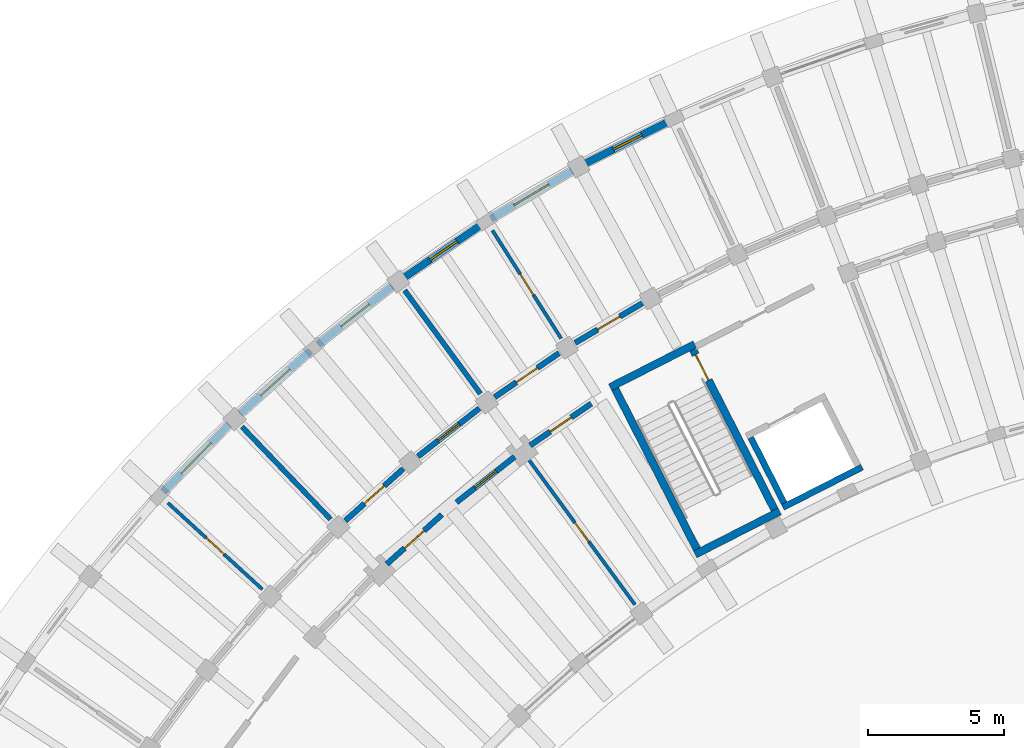
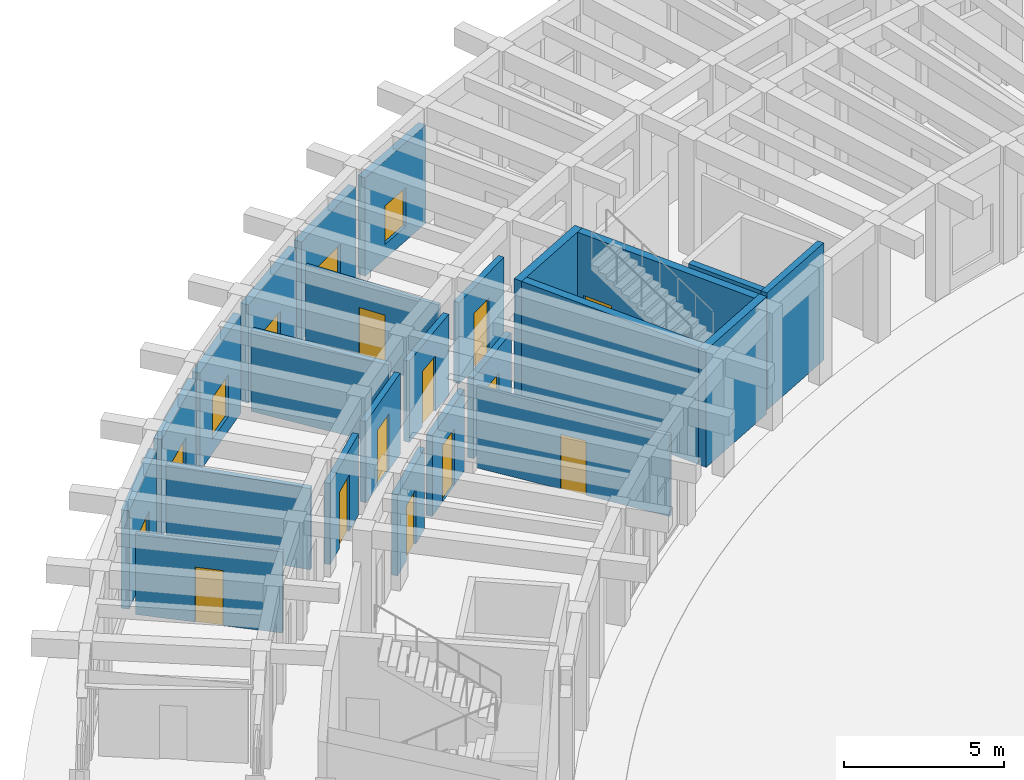
# One storey, part 95 of 132: 24 walls, 11 doors, 6 windows, 17 openings.
"""IFC4 building model written with IfcOpenShell, lengths in metres."""

from ifc_helpers import new_model, si_unit, direction, frame, frame_2d, origin, place, context, subcontext, project, spatial, rectangle, extrude, material, layer, layer_set, type_object, element, fill, save


model = new_model("IFC4")

# Units and contexts
model_context = context("Model", 3, precision=1e-05, world=origin(), true_north=direction((0.0, 1.0)))
body_context = subcontext(model_context, "Body", "Model", "MODEL_VIEW")
ifc_project = project(units=[si_unit("LENGTHUNIT", "METRE"), si_unit("AREAUNIT", "SQUARE_METRE"), si_unit("VOLUMEUNIT", "CUBIC_METRE"), si_unit("PLANEANGLEUNIT", "RADIAN"), si_unit("MASSUNIT", "GRAM", prefix="KILO")], contexts=[model_context])

# Site, building, storey
site_placement = place(None, origin())
site = spatial("IfcSite", under=ifc_project, at=site_placement, CompositionType="ELEMENT")
building_placement = place(site_placement, origin())
building = spatial("IfcBuilding", under=site, at=building_placement, Name="Tanwirah Colonnade Gardens", CompositionType="ELEMENT")
storey_placement = place(building_placement, origin())
storey = spatial("IfcBuildingStorey", under=building, at=storey_placement, Name="L00", CompositionType="ELEMENT", Elevation=0.0)

# Wall, opening, window
ifc_material_1 = material(Name="Limestone architectural precast concrete C40/50", Category="masonry")
ifc_layer_1 = layer(ifc_material_1, 0.27001953125)
ifc_layer_set_1 = layer_set([ifc_layer_1], Name="Limestone architectural precast concrete C40/50")
wall_type_1 = type_object("IfcWallType", Name="EW-PC270", PredefinedType="SOLIDWALL", material=ifc_layer_set_1)
wall_1_placement = place(storey_placement, frame((39.777099609375, 114.13818359375, 0.0), z_axis=(0.0, 0.0, 1.0), x_axis=(-0.892772658884, -0.450507468915, 0.0)))
wall_1 = element("IfcWall", 1, at=wall_1_placement, inside=storey, type_object=wall_type_1, Name="Block A L00 OUT Precast Facade Wall 5", PredefinedType="SOLIDWALL", context=body_context, shape_type="SweptSolid", body=[
    extrude(rectangle(XDim=3.465576171875, YDim=0.27001953125, at=frame_2d((1.73291015625, 0.0))), origin(), (0.0, 0.0, 1.0), 3.7548828125),
])
opening_1_placement = place(wall_1_placement, frame((1.142822265625, 0.0, 0.550048828125)))
opening_1 = element("IfcOpeningElement", 2, at=opening_1_placement, cuts=wall_1, Name="Opening WIN-T16", PredefinedType="OPENING", context=body_context, shape_type="SweptSolid", body=[
    extrude(rectangle(XDim=1.179931640625, YDim=1.47998046875, at=frame_2d((0.58984375, 0.739990234375))), frame((0.0, 0.14501953125, 0.0), z_axis=(0.0, -1.0, 0.0), x_axis=(1.0, 0.0, 0.0)), (0.0, 0.0, 1.0), 0.2900390625),
])
ifc_material_2 = material(Name="Thermally broken bronze aluminium and solar low-E double glazing", Category="aluminium")
window_type_1 = type_object("IfcWindowType", Name="WIN-T16", PartitioningType="SINGLE_PANEL", PredefinedType="WINDOW", material=ifc_material_2)
window_1_placement = place(opening_1_placement, origin())
window_1 = element("IfcWindow", 3, at=window_1_placement, inside=storey, type_object=window_type_1, Name="Facade window A-L00-OUT-05", OverallHeight=1.47998046875, OverallWidth=1.179931640625, PartitioningType="SINGLE_PANEL", PredefinedType="WINDOW", context=body_context, shape_type="SweptSolid", body=[
    extrude(rectangle(XDim=1.179931640625, YDim=1.47998046875, at=frame_2d((0.58984375, 0.739990234375))), frame((0.0, 0.030029296875, 0.0), z_axis=(0.0, -1.0, 0.0), x_axis=(1.0, 0.0, 0.0)), (0.0, 0.0, 1.0), 0.06005859375),
])
fill(opening_1, window_1)

wall_2_placement = place(storey_placement, frame((36.19189453125, 112.308349609375, 0.0), z_axis=(0.0, 0.0, 1.0), x_axis=(-0.861120000949, -0.508401754487, 0.0)))
wall_2 = element("IfcWall", 4, at=wall_2_placement, inside=storey, type_object=wall_type_1, Name="Block A L00 OUT Precast Facade Wall 6", PredefinedType="SOLIDWALL", context=body_context, shape_type="SweptSolid", body=[
    extrude(rectangle(XDim=3.465576171875, YDim=0.27001953125, at=frame_2d((1.73291015625, 0.0))), origin(), (0.0, 0.0, 1.0), 3.7548828125),
])
opening_2_placement = place(wall_2_placement, frame((0.992919921875, 0.0, 0.550048828125)))
opening_2 = element("IfcOpeningElement", 5, at=opening_2_placement, cuts=wall_2, Name="Opening WIN-T19", PredefinedType="OPENING", context=body_context, shape_type="SweptSolid", body=[
    extrude(rectangle(XDim=1.47998046875, YDim=1.6201171875, at=frame_2d((0.739990234375, 0.81005859375))), frame((0.0, 0.14501953125, 0.0), z_axis=(0.0, -1.0, 0.0), x_axis=(1.0, 0.0, 0.0)), (0.0, 0.0, 1.0), 0.2900390625),
])
window_type_2 = type_object("IfcWindowType", Name="WIN-T19", PartitioningType="DOUBLE_PANEL_VERTICAL", PredefinedType="WINDOW", material=ifc_material_2)
window_2_placement = place(opening_2_placement, origin())
window_2 = element("IfcWindow", 6, at=window_2_placement, inside=storey, type_object=window_type_2, Name="Facade window A-L00-OUT-06", OverallHeight=1.6201171875, OverallWidth=1.47998046875, PartitioningType="SINGLE_PANEL", PredefinedType="WINDOW", context=body_context, shape_type="SweptSolid", body=[
    extrude(rectangle(XDim=1.47998046875, YDim=1.6201171875, at=frame_2d((0.739990234375, 0.81005859375))), frame((0.0, 0.030029296875, 0.0), z_axis=(0.0, -1.0, 0.0), x_axis=(1.0, 0.0, 0.0)), (0.0, 0.0, 1.0), 0.06005859375),
])
fill(opening_2, window_2)

wall_3_placement = place(storey_placement, frame((32.90380859375, 110.353515625, 0.0), z_axis=(0.0, 0.0, 1.0), x_axis=(-0.825744165268, -0.564044832904, 0.0)))
wall_3 = element("IfcWall", 7, at=wall_3_placement, inside=storey, type_object=wall_type_1, Name="Block A L00 OUT Precast Facade Wall 7", PredefinedType="SOLIDWALL", context=body_context, shape_type="SweptSolid", body=[
    extrude(rectangle(XDim=3.4658203125, YDim=0.27001953125, at=frame_2d((1.73291015625, 0.0))), origin(), (0.0, 0.0, 1.0), 3.7548828125),
])
opening_3_placement = place(wall_3_placement, frame((1.1328125, 0.0, 0.550048828125)))
opening_3 = element("IfcOpeningElement", 8, at=opening_3_placement, cuts=wall_3, Name="Opening WIN-U02", PredefinedType="OPENING", context=body_context, shape_type="SweptSolid", body=[
    extrude(rectangle(XDim=1.199951171875, YDim=1.510009765625, at=frame_2d((0.60009765625, 0.7548828125))), frame((0.0, 0.14501953125, 0.0), z_axis=(0.0, -1.0, 0.0), x_axis=(1.0, 0.0, 0.0)), (0.0, 0.0, 1.0), 0.2900390625),
])
window_type_3 = type_object("IfcWindowType", Name="WIN-U02", PartitioningType="DOUBLE_PANEL_VERTICAL", PredefinedType="WINDOW", material=ifc_material_2)
window_3_placement = place(opening_3_placement, origin())
window_3 = element("IfcWindow", 9, at=window_3_placement, inside=storey, type_object=window_type_3, Name="Facade window A-L00-OUT-07", OverallHeight=1.510009765625, OverallWidth=1.199951171875, PartitioningType="SINGLE_PANEL", PredefinedType="WINDOW", context=body_context, shape_type="SweptSolid", body=[
    extrude(rectangle(XDim=1.199951171875, YDim=1.510009765625, at=frame_2d((0.60009765625, 0.7548828125))), frame((0.0, 0.030029296875, 0.0), z_axis=(0.0, -1.0, 0.0), x_axis=(1.0, 0.0, 0.0)), (0.0, 0.0, 1.0), 0.06005859375),
])
fill(opening_3, window_3)

wall_4_placement = place(storey_placement, frame((29.590576171875, 108.068115234375, 0.0), z_axis=(0.0, 0.0, 1.0), x_axis=(-0.786811832484, -0.617192952214, 0.0)))
wall_4 = element("IfcWall", 10, at=wall_4_placement, inside=storey, type_object=wall_type_1, Name="Block A L00 OUT Precast Facade Wall 8", PredefinedType="SOLIDWALL", context=body_context, shape_type="SweptSolid", body=[
    extrude(rectangle(XDim=3.466064453125, YDim=0.27001953125, at=frame_2d((1.73291015625, 0.0))), origin(), (0.0, 0.0, 1.0), 3.7548828125),
])
opening_4_placement = place(wall_4_placement, frame((1.072998046875, 0.0, 0.550048828125)))
opening_4 = element("IfcOpeningElement", 11, at=opening_4_placement, cuts=wall_4, Name="Opening WIN-U05", PredefinedType="OPENING", context=body_context, shape_type="SweptSolid", body=[
    extrude(rectangle(XDim=1.320068359375, YDim=1.5849609375, at=frame_2d((0.66015625, 0.79248046875))), frame((0.0, 0.14501953125, 0.0), z_axis=(0.0, -1.0, 0.0), x_axis=(1.0, 0.0, 0.0)), (0.0, 0.0, 1.0), 0.2900390625),
])
window_type_4 = type_object("IfcWindowType", Name="WIN-U05", PartitioningType="DOUBLE_PANEL_VERTICAL", PredefinedType="WINDOW", material=ifc_material_2)
window_4_placement = place(opening_4_placement, origin())
window_4 = element("IfcWindow", 12, at=window_4_placement, inside=storey, type_object=window_type_4, Name="Facade window A-L00-OUT-08", OverallHeight=1.5849609375, OverallWidth=1.320068359375, PartitioningType="SINGLE_PANEL", PredefinedType="WINDOW", context=body_context, shape_type="SweptSolid", body=[
    extrude(rectangle(XDim=1.320068359375, YDim=1.5849609375, at=frame_2d((0.66015625, 0.79248046875))), frame((0.0, 0.030029296875, 0.0), z_axis=(0.0, -1.0, 0.0), x_axis=(1.0, 0.0, 0.0)), (0.0, 0.0, 1.0), 0.06005859375),
])
fill(opening_4, window_4)

wall_5_placement = place(storey_placement, frame((26.587890625, 105.69775390625, 0.0), z_axis=(0.0, 0.0, 1.0), x_axis=(-0.744424533251, -0.667706607945, 0.0)))
wall_5 = element("IfcWall", 13, at=wall_5_placement, inside=storey, type_object=wall_type_1, Name="Block A L00 OUT Precast Facade Wall 9", PredefinedType="SOLIDWALL", context=body_context, shape_type="SweptSolid", body=[
    extrude(rectangle(XDim=3.465576171875, YDim=0.27001953125, at=frame_2d((1.73291015625, 0.0))), origin(), (0.0, 0.0, 1.0), 3.7548828125),
])
opening_5_placement = place(wall_5_placement, frame((1.0126953125, 0.0, 0.550048828125)))
opening_5 = element("IfcOpeningElement", 14, at=opening_5_placement, cuts=wall_5, Name="Opening WIN-U08", PredefinedType="OPENING", context=body_context, shape_type="SweptSolid", body=[
    extrude(rectangle(XDim=1.43994140625, YDim=1.659912109375, at=frame_2d((0.719970703125, 0.830078125))), frame((0.0, 0.14501953125, 0.0), z_axis=(0.0, -1.0, 0.0), x_axis=(1.0, 0.0, 0.0)), (0.0, 0.0, 1.0), 0.2900390625),
])
window_type_5 = type_object("IfcWindowType", Name="WIN-U08", PartitioningType="DOUBLE_PANEL_VERTICAL", PredefinedType="WINDOW", material=ifc_material_2)
window_5_placement = place(opening_5_placement, origin())
window_5 = element("IfcWindow", 15, at=window_5_placement, inside=storey, type_object=window_type_5, Name="Facade window A-L00-OUT-09", OverallHeight=1.659912109375, OverallWidth=1.43994140625, PartitioningType="SINGLE_PANEL", PredefinedType="WINDOW", context=body_context, shape_type="SweptSolid", body=[
    extrude(rectangle(XDim=1.43994140625, YDim=1.659912109375, at=frame_2d((0.719970703125, 0.830078125))), frame((0.0, 0.030029296875, 0.0), z_axis=(0.0, -1.0, 0.0), x_axis=(1.0, 0.0, 0.0)), (0.0, 0.0, 1.0), 0.06005859375),
])
fill(opening_5, window_5)

wall_6_placement = place(storey_placement, frame((23.603759765625, 102.99658203125, 0.0), z_axis=(0.0, 0.0, 1.0), x_axis=(-0.698816652755, -0.715300835895, 0.0)))
wall_6 = element("IfcWall", 16, at=wall_6_placement, inside=storey, type_object=wall_type_1, Name="Block A L00 OUT Precast Facade Wall 10", PredefinedType="SOLIDWALL", context=body_context, shape_type="SweptSolid", body=[
    extrude(rectangle(XDim=3.465576171875, YDim=0.27001953125, at=frame_2d((1.73291015625, 0.0))), origin(), (0.0, 0.0, 1.0), 3.7548828125),
])
opening_6_placement = place(wall_6_placement, frame((0.952880859375, 0.0, 0.550048828125)))
opening_6 = element("IfcOpeningElement", 17, at=opening_6_placement, cuts=wall_6, Name="Opening WIN-U11", PredefinedType="OPENING", context=body_context, shape_type="SweptSolid", body=[
    extrude(rectangle(XDim=1.56005859375, YDim=1.510009765625, at=frame_2d((0.780029296875, 0.7548828125))), frame((0.0, 0.14501953125, 0.0), z_axis=(0.0, -1.0, 0.0), x_axis=(1.0, 0.0, 0.0)), (0.0, 0.0, 1.0), 0.2900390625),
])
window_type_6 = type_object("IfcWindowType", Name="WIN-U11", PartitioningType="DOUBLE_PANEL_VERTICAL", PredefinedType="WINDOW", material=ifc_material_2)
window_6_placement = place(opening_6_placement, origin())
window_6 = element("IfcWindow", 18, at=window_6_placement, inside=storey, type_object=window_type_6, Name="Facade window A-L00-OUT-10", OverallHeight=1.510009765625, OverallWidth=1.56005859375, PartitioningType="SINGLE_PANEL", PredefinedType="WINDOW", context=body_context, shape_type="SweptSolid", body=[
    extrude(rectangle(XDim=1.56005859375, YDim=1.510009765625, at=frame_2d((0.780029296875, 0.7548828125))), frame((0.0, 0.030029296875, 0.0), z_axis=(0.0, -1.0, 0.0), x_axis=(1.0, 0.0, 0.0)), (0.0, 0.0, 1.0), 0.06005859375),
])
fill(opening_6, window_6)

# Wall, opening, door
ifc_material_3 = material(Name="Precast concrete C40/50", Category="concrete")
ifc_layer_2 = layer(ifc_material_3, 0.205078125)
ifc_layer_set_2 = layer_set([ifc_layer_2], Name="Precast concrete C40/50")
wall_type_2 = type_object("IfcWallType", Name="IW-CORR205", PredefinedType="PARTITIONING", material=ifc_layer_set_2)
wall_7_placement = place(storey_placement, frame((38.77001953125, 107.447021484375, 0.0), z_axis=(0.0, 0.0, 1.0), x_axis=(-0.861113214678, -0.508413248753, 0.0)))
wall_7 = element("IfcWall", 19, at=wall_7_placement, inside=storey, type_object=wall_type_2, Name="Block A L00 OUT Corridor Wall 6", PredefinedType="PARTITIONING", context=body_context, shape_type="SweptSolid", body=[
    extrude(rectangle(XDim=2.863037109375, YDim=0.205078125, at=frame_2d((1.431640625, 0.0))), origin(), (0.0, 0.0, 1.0), 3.10009765625),
])
opening_7_placement = place(wall_7_placement, frame((0.95654296875, 0.0, 0.0)))
opening_7 = element("IfcOpeningElement", 20, at=opening_7_placement, cuts=wall_7, Name="Opening L00-AD235", PredefinedType="OPENING", context=body_context, shape_type="SweptSolid", body=[
    extrude(rectangle(XDim=0.949951171875, YDim=2.1298828125, at=frame_2d((0.47509765625, 1.06494140625))), frame((0.0, 0.112548828125, 0.0), z_axis=(0.0, -1.0, 0.0), x_axis=(1.0, 0.0, 0.0)), (0.0, 0.0, 1.0), 0.22509765625),
])
ifc_material_4 = material(Name="Solid oak fire-resisting apartment entrance door")
door_type_1 = type_object("IfcDoorType", Name="ID-FLT095", OperationType="NOTDEFINED", PredefinedType="DOOR", material=ifc_material_4)
door_1_placement = place(opening_7_placement, origin())
door_1 = element("IfcDoor", 21, at=door_1_placement, inside=storey, type_object=door_type_1, Name="Apartment corridor door L00-AD235", OperationType="SINGLE_SWING_LEFT", OverallHeight=2.1298828125, OverallWidth=0.949951171875, PredefinedType="DOOR", context=body_context, shape_type="SweptSolid", body=[
    extrude(rectangle(XDim=0.949951171875, YDim=2.1298828125, at=frame_2d((0.47509765625, 1.06494140625))), frame((0.0, 0.02490234375, 0.0), z_axis=(0.0, -1.0, 0.0), x_axis=(1.0, 0.0, 0.0)), (0.0, 0.0, 1.0), 0.050048828125),
])
fill(opening_7, door_1)

wall_8_placement = place(storey_placement, frame((35.714111328125, 105.615966796875, 0.0), z_axis=(0.0, 0.0, 1.0), x_axis=(-0.825779671787, -0.563992848947, 0.0)))
wall_8 = element("IfcWall", 22, at=wall_8_placement, inside=storey, type_object=wall_type_2, Name="Block A L00 OUT Corridor Wall 7", PredefinedType="PARTITIONING", context=body_context, shape_type="SweptSolid", body=[
    extrude(rectangle(XDim=2.863037109375, YDim=0.205078125, at=frame_2d((1.431640625, 0.0))), origin(), (0.0, 0.0, 1.0), 3.10009765625),
])
opening_8_placement = place(wall_8_placement, frame((0.966552734375, 0.0, 0.0)))
opening_8 = element("IfcOpeningElement", 23, at=opening_8_placement, cuts=wall_8, Name="Opening L00-AD237", PredefinedType="OPENING", context=body_context, shape_type="SweptSolid", body=[
    extrude(rectangle(XDim=0.929931640625, YDim=2.1201171875, at=frame_2d((0.46484375, 1.06005859375))), frame((0.0, 0.112548828125, 0.0), z_axis=(0.0, -1.0, 0.0), x_axis=(1.0, 0.0, 0.0)), (0.0, 0.0, 1.0), 0.22509765625),
])
door_type_2 = type_object("IfcDoorType", Name="ID-FLT093", OperationType="NOTDEFINED", PredefinedType="DOOR", material=ifc_material_4)
door_2_placement = place(opening_8_placement, origin())
door_2 = element("IfcDoor", 24, at=door_2_placement, inside=storey, type_object=door_type_2, Name="Apartment corridor door L00-AD237", OperationType="SINGLE_SWING_RIGHT", OverallHeight=2.1201171875, OverallWidth=0.929931640625, PredefinedType="DOOR", context=body_context, shape_type="SweptSolid", body=[
    extrude(rectangle(XDim=0.929931640625, YDim=2.1201171875, at=frame_2d((0.46484375, 1.06005859375))), frame((0.0, 0.02490234375, 0.0), z_axis=(0.0, -1.0, 0.0), x_axis=(1.0, 0.0, 0.0)), (0.0, 0.0, 1.0), 0.050048828125),
])
fill(opening_8, door_2)

wall_9_placement = place(storey_placement, frame((36.89453125, 103.759521484375, 0.0), z_axis=(0.0, 0.0, 1.0), x_axis=(-0.825752009056, -0.56403334967, 0.0)))
wall_9 = element("IfcWall", 25, at=wall_9_placement, inside=storey, type_object=wall_type_2, Name="Block A L00 IN Corridor Wall 7", PredefinedType="PARTITIONING", context=body_context, shape_type="SweptSolid", body=[
    extrude(rectangle(XDim=2.71826171875, YDim=0.205078125, at=frame_2d((1.359130859375, 0.0))), origin(), (0.0, 0.0, 1.0), 3.10009765625),
])
opening_9_placement = place(wall_9_placement, frame((0.89404296875, 0.0, 0.0)))
opening_9 = element("IfcOpeningElement", 26, at=opening_9_placement, cuts=wall_9, Name="Opening L00-AD238", PredefinedType="OPENING", context=body_context, shape_type="SweptSolid", body=[
    extrude(rectangle(XDim=0.929931640625, YDim=2.1201171875, at=frame_2d((0.46484375, 1.06005859375))), frame((0.0, 0.112548828125, 0.0), z_axis=(0.0, -1.0, 0.0), x_axis=(1.0, 0.0, 0.0)), (0.0, 0.0, 1.0), 0.22509765625),
])
door_3_placement = place(opening_9_placement, origin())
door_3 = element("IfcDoor", 27, at=door_3_placement, inside=storey, type_object=door_type_2, Name="Apartment corridor door L00-AD238", OperationType="SINGLE_SWING_LEFT", OverallHeight=2.1201171875, OverallWidth=0.929931640625, PredefinedType="DOOR", context=body_context, shape_type="SweptSolid", body=[
    extrude(rectangle(XDim=0.929931640625, YDim=2.1201171875, at=frame_2d((0.46484375, 1.06005859375))), frame((0.0, 0.02490234375, 0.0), z_axis=(0.0, -1.0, 0.0), x_axis=(1.0, 0.0, 0.0)), (0.0, 0.0, 1.0), 0.050048828125),
])
fill(opening_9, door_3)

wall_10_placement = place(storey_placement, frame((32.785400390625, 103.587890625, 0.0), z_axis=(0.0, 0.0, 1.0), x_axis=(-0.786806323554, -0.617199975061, 0.0)))
wall_10 = element("IfcWall", 28, at=wall_10_placement, inside=storey, type_object=wall_type_2, Name="Block A L00 OUT Corridor Wall 8", PredefinedType="PARTITIONING", context=body_context, shape_type="SweptSolid", body=[
    extrude(rectangle(XDim=2.863037109375, YDim=0.205078125, at=frame_2d((1.431640625, 0.0))), origin(), (0.0, 0.0, 1.0), 3.10009765625),
])
opening_10_placement = place(wall_10_placement, frame((0.9365234375, 0.0, 0.0)))
opening_10 = element("IfcOpeningElement", 29, at=opening_10_placement, cuts=wall_10, Name="Opening L00-AD240", PredefinedType="OPENING", context=body_context, shape_type="SweptSolid", body=[
    extrude(rectangle(XDim=0.989990234375, YDim=2.159912109375, at=frame_2d((0.4951171875, 1.080078125))), frame((0.0, 0.112548828125, 0.0), z_axis=(0.0, -1.0, 0.0), x_axis=(1.0, 0.0, 0.0)), (0.0, 0.0, 1.0), 0.22509765625),
])
door_type_3 = type_object("IfcDoorType", Name="ID-FLT099", OperationType="NOTDEFINED", PredefinedType="DOOR", material=ifc_material_4)
door_4_placement = place(opening_10_placement, origin())
door_4 = element("IfcDoor", 30, at=door_4_placement, inside=storey, type_object=door_type_3, Name="Apartment corridor door L00-AD240", OperationType="SINGLE_SWING_LEFT", OverallHeight=2.159912109375, OverallWidth=0.989990234375, PredefinedType="DOOR", context=body_context, shape_type="SweptSolid", body=[
    extrude(rectangle(XDim=0.989990234375, YDim=2.159912109375, at=frame_2d((0.4951171875, 1.080078125))), frame((0.0, 0.02490234375, 0.0), z_axis=(0.0, -1.0, 0.0), x_axis=(1.0, 0.0, 0.0)), (0.0, 0.0, 1.0), 0.050048828125),
])
fill(opening_10, door_4)

wall_11_placement = place(storey_placement, frame((34.08544921875, 101.81298828125, 0.0), z_axis=(0.0, 0.0, 1.0), x_axis=(-0.786835457019, -0.617162833924, 0.0)))
wall_11 = element("IfcWall", 31, at=wall_11_placement, inside=storey, type_object=wall_type_2, Name="Block A L00 IN Corridor Wall 8", PredefinedType="PARTITIONING", context=body_context, shape_type="SweptSolid", body=[
    extrude(rectangle(XDim=2.718017578125, YDim=0.205078125, at=frame_2d((1.35888671875, 0.0))), origin(), (0.0, 0.0, 1.0), 3.10009765625),
])
opening_11_placement = place(wall_11_placement, frame((0.864013671875, 0.0, 0.0)))
opening_11 = element("IfcOpeningElement", 32, at=opening_11_placement, cuts=wall_11, Name="Opening L00-AD241", PredefinedType="OPENING", context=body_context, shape_type="SweptSolid", body=[
    extrude(rectangle(XDim=0.989990234375, YDim=2.159912109375, at=frame_2d((0.4951171875, 1.080078125))), frame((0.0, 0.112548828125, 0.0), z_axis=(0.0, -1.0, 0.0), x_axis=(1.0, 0.0, 0.0)), (0.0, 0.0, 1.0), 0.22509765625),
])
door_5_placement = place(opening_11_placement, origin())
door_5 = element("IfcDoor", 33, at=door_5_placement, inside=storey, type_object=door_type_3, Name="Apartment corridor door L00-AD241", OperationType="SINGLE_SWING_RIGHT", OverallHeight=2.159912109375, OverallWidth=0.989990234375, PredefinedType="DOOR", context=body_context, shape_type="SweptSolid", body=[
    extrude(rectangle(XDim=0.989990234375, YDim=2.159912109375, at=frame_2d((0.4951171875, 1.080078125))), frame((0.0, 0.02490234375, 0.0), z_axis=(0.0, -1.0, 0.0), x_axis=(1.0, 0.0, 0.0)), (0.0, 0.0, 1.0), 0.050048828125),
])
fill(opening_11, door_5)

wall_12_placement = place(storey_placement, frame((29.996826171875, 101.37109375, 0.0), z_axis=(0.0, 0.0, 1.0), x_axis=(-0.744433521088, -0.667696587291, 0.0)))
wall_12 = element("IfcWall", 34, at=wall_12_placement, inside=storey, type_object=wall_type_2, Name="Block A L00 OUT Corridor Wall 9", PredefinedType="PARTITIONING", context=body_context, shape_type="SweptSolid", body=[
    extrude(rectangle(XDim=2.86328125, YDim=0.205078125, at=frame_2d((1.431640625, 0.0))), origin(), (0.0, 0.0, 1.0), 3.10009765625),
])
opening_12_placement = place(wall_12_placement, frame((0.946533203125, 0.0, 0.0)))
opening_12 = element("IfcOpeningElement", 35, at=opening_12_placement, cuts=wall_12, Name="Opening L00-AD242", PredefinedType="OPENING", context=body_context, shape_type="SweptSolid", body=[
    extrude(rectangle(XDim=0.969970703125, YDim=2.14990234375, at=frame_2d((0.48486328125, 1.074951171875))), frame((0.0, 0.112548828125, 0.0), z_axis=(0.0, -1.0, 0.0), x_axis=(1.0, 0.0, 0.0)), (0.0, 0.0, 1.0), 0.22509765625),
])
door_type_4 = type_object("IfcDoorType", Name="ID-FLT097", OperationType="NOTDEFINED", PredefinedType="DOOR", material=ifc_material_4)
door_6_placement = place(opening_12_placement, origin())
door_6 = element("IfcDoor", 36, at=door_6_placement, inside=storey, type_object=door_type_4, Name="Apartment corridor door L00-AD242", OperationType="SINGLE_SWING_RIGHT", OverallHeight=2.14990234375, OverallWidth=0.969970703125, PredefinedType="DOOR", context=body_context, shape_type="SweptSolid", body=[
    extrude(rectangle(XDim=0.969970703125, YDim=2.14990234375, at=frame_2d((0.48486328125, 1.074951171875))), frame((0.0, 0.02490234375, 0.0), z_axis=(0.0, -1.0, 0.0), x_axis=(1.0, 0.0, 0.0)), (0.0, 0.0, 1.0), 0.050048828125),
])
fill(opening_12, door_6)

wall_13_placement = place(storey_placement, frame((31.410888671875, 99.685791015625, 0.0), z_axis=(0.0, 0.0, 1.0), x_axis=(-0.744418559135, -0.667713268413, 0.0)))
wall_13 = element("IfcWall", 37, at=wall_13_placement, inside=storey, type_object=wall_type_2, Name="Block A L00 IN Corridor Wall 9", PredefinedType="PARTITIONING", context=body_context, shape_type="SweptSolid", body=[
    extrude(rectangle(XDim=2.71826171875, YDim=0.205078125, at=frame_2d((1.359130859375, 0.0))), origin(), (0.0, 0.0, 1.0), 3.10009765625),
])
opening_13_placement = place(wall_13_placement, frame((0.87890625, 0.0, 0.0)))
opening_13 = element("IfcOpeningElement", 38, at=opening_13_placement, cuts=wall_13, Name="Opening L00-AD243", PredefinedType="OPENING", context=body_context, shape_type="SweptSolid", body=[
    extrude(rectangle(XDim=0.9599609375, YDim=2.10009765625, at=frame_2d((0.47998046875, 1.050048828125))), frame((0.0, 0.112548828125, 0.0), z_axis=(0.0, -1.0, 0.0), x_axis=(1.0, 0.0, 0.0)), (0.0, 0.0, 1.0), 0.22509765625),
])
ifc_material_5 = material(Name="Accessible toilet outward-opening door")
door_type_5 = type_object("IfcDoorType", Name="ID-AWC096", OperationType="NOTDEFINED", PredefinedType="DOOR", material=ifc_material_5)
door_7_placement = place(opening_13_placement, origin())
door_7 = element("IfcDoor", 39, at=door_7_placement, inside=storey, type_object=door_type_5, Name="Apartment corridor door L00-AD243", OperationType="SINGLE_SWING_LEFT", OverallHeight=2.10009765625, OverallWidth=0.9599609375, PredefinedType="DOOR", context=body_context, shape_type="SweptSolid", body=[
    extrude(rectangle(XDim=0.9599609375, YDim=2.10009765625, at=frame_2d((0.47998046875, 1.050048828125))), frame((0.0, 0.02490234375, 0.0), z_axis=(0.0, -1.0, 0.0), x_axis=(1.0, 0.0, 0.0)), (0.0, 0.0, 1.0), 0.050048828125),
])
fill(opening_13, door_7)

# Walls
ifc_layer_3 = layer(ifc_material_3, 0.18505859375)
ifc_layer_set_3 = layer_set([ifc_layer_3], Name="Precast concrete C40/50")
wall_type_3 = type_object("IfcWallType", Name="IW-DEM185", PredefinedType="PARTITIONING", material=ifc_layer_set_3)
for number, where, z_axis, x_axis, name in (
    (40, (32.824462890625, 104.12646484375, 0.0), (0.0, 0.0, 1.0), (-0.590910940129, 0.806736797745, 0.0), "Block A L00 Radial Partition 7"),
    (41, (27.328125, 99.514404296875, 0.0), (0.0, 0.0, 1.0), (-0.691882799356, 0.722009828157, 0.0), "Block A L00 Radial Partition 9"),
):
    element("IfcWall", number, at=place(storey_placement, frame(where, z_axis=z_axis, x_axis=x_axis)), inside=storey, type_object=wall_type_3, Name=name, PredefinedType="PARTITIONING", context=body_context, shape_type="SweptSolid", body=[
        extrude(rectangle(XDim=4.7001953125, YDim=0.18505859375, at=frame_2d((2.35009765625, 0.0))), origin(), (0.0, 0.0, 1.0), 3.10009765625),
    ])

# Wall, opening, door
ifc_material_6 = material(Name="Moisture-resistant gypsum stud partition")
ifc_layer_4 = layer(ifc_material_6, 0.125)
ifc_layer_set_4 = layer_set([ifc_layer_4], Name="Moisture-resistant gypsum stud partition")
wall_type_4 = type_object("IfcWallType", Name="IW-INT125", PredefinedType="PARTITIONING", material=ifc_layer_set_4)
wall_14_placement = place(storey_placement, frame((35.78857421875, 106.151123046875, 0.0), z_axis=(0.0, 0.0, 1.0), x_axis=(-0.536492262982, 0.843905238614, 0.0)))
wall_14 = element("IfcWall", 42, at=wall_14_placement, inside=storey, type_object=wall_type_4, Name="Block A L00 Radial Partition 6", PredefinedType="PARTITIONING", context=body_context, shape_type="SweptSolid", body=[
    extrude(rectangle(XDim=4.699951171875, YDim=0.125, at=frame_2d((2.35009765625, 0.0))), origin(), (0.0, 0.0, 1.0), 3.10009765625),
])
opening_14_placement = place(wall_14_placement, frame((1.89501953125, 0.0, 0.0)))
opening_14 = element("IfcOpeningElement", 43, at=opening_14_placement, cuts=wall_14, Name="Opening L00-RD236", PredefinedType="OPENING", context=body_context, shape_type="SweptSolid", body=[
    extrude(rectangle(XDim=0.909912109375, YDim=2.10009765625, at=frame_2d((0.455078125, 1.050048828125))), frame((0.0, 0.072509765625, 0.0), z_axis=(0.0, -1.0, 0.0), x_axis=(1.0, 0.0, 0.0)), (0.0, 0.0, 1.0), 0.14501953125),
])
ifc_material_7 = material(Name="Painted hardwood internal room door", Category="wood")
door_type_6 = type_object("IfcDoorType", Name="ID-RM091", OperationType="NOTDEFINED", PredefinedType="DOOR", material=ifc_material_7)
door_8_placement = place(opening_14_placement, origin())
door_8 = element("IfcDoor", 44, at=door_8_placement, inside=storey, type_object=door_type_6, Name="Internal apartment door L00-RD236", OperationType="SINGLE_SWING_LEFT", OverallHeight=2.10009765625, OverallWidth=0.909912109375, PredefinedType="DOOR", context=body_context, shape_type="SweptSolid", body=[
    extrude(rectangle(XDim=0.909912109375, YDim=2.10009765625, at=frame_2d((0.455078125, 1.050048828125))), frame((0.0, 0.02490234375, 0.0), z_axis=(0.0, -1.0, 0.0), x_axis=(1.0, 0.0, 0.0)), (0.0, 0.0, 1.0), 0.050048828125),
])
fill(opening_14, door_8)

wall_15_placement = place(storey_placement, frame((38.497314453125, 96.3818359375, 0.0), z_axis=(0.0, 0.0, 1.0), x_axis=(-0.590924179316, 0.806727100263, 0.0)))
wall_15 = element("IfcWall", 45, at=wall_15_placement, inside=storey, type_object=wall_type_4, Name="Block A L00 Inner Radial Partition 7", PredefinedType="PARTITIONING", context=body_context, shape_type="SweptSolid", body=[
    extrude(rectangle(XDim=6.60009765625, YDim=0.125, at=frame_2d((3.300048828125, 0.0))), origin(), (0.0, 0.0, 1.0), 3.10009765625),
])
opening_15_placement = place(wall_15_placement, frame((2.864990234375, 0.0, 0.0)))
opening_15 = element("IfcOpeningElement", 46, at=opening_15_placement, cuts=wall_15, Name="Opening L00-RD239", PredefinedType="OPENING", context=body_context, shape_type="SweptSolid", body=[
    extrude(rectangle(XDim=0.8701171875, YDim=2.080078125, at=frame_2d((0.43505859375, 1.0400390625))), frame((0.0, 0.072509765625, 0.0), z_axis=(0.0, -1.0, 0.0), x_axis=(1.0, 0.0, 0.0)), (0.0, 0.0, 1.0), 0.14501953125),
])
ifc_material_8 = material(Name="Painted hardwood study door", Category="wood")
door_type_7 = type_object("IfcDoorType", Name="ID-RM087", OperationType="NOTDEFINED", PredefinedType="DOOR", material=ifc_material_8)
door_9_placement = place(opening_15_placement, origin())
door_9 = element("IfcDoor", 47, at=door_9_placement, inside=storey, type_object=door_type_7, Name="Internal apartment door L00-RD239", OperationType="SINGLE_SWING_LEFT", OverallHeight=2.080078125, OverallWidth=0.8701171875, PredefinedType="DOOR", context=body_context, shape_type="SweptSolid", body=[
    extrude(rectangle(XDim=0.8701171875, YDim=2.080078125, at=frame_2d((0.43505859375, 1.0400390625))), frame((0.0, 0.02490234375, 0.0), z_axis=(0.0, -1.0, 0.0), x_axis=(1.0, 0.0, 0.0)), (0.0, 0.0, 1.0), 0.050048828125),
])
fill(opening_15, door_9)

wall_16_placement = place(storey_placement, frame((24.819580078125, 96.947021484375, 0.0), z_axis=(0.0, 0.0, 1.0), x_axis=(-0.737934199263, 0.674872667663, 0.0)))
wall_16 = element("IfcWall", 48, at=wall_16_placement, inside=storey, type_object=wall_type_4, Name="Block A L00 Radial Partition 10", PredefinedType="PARTITIONING", context=body_context, shape_type="SweptSolid", body=[
    extrude(rectangle(XDim=4.699951171875, YDim=0.125, at=frame_2d((2.35009765625, 0.0))), origin(), (0.0, 0.0, 1.0), 3.10009765625),
])
opening_16_placement = place(wall_16_placement, frame((1.905029296875, 0.0, 0.0)))
opening_16 = element("IfcOpeningElement", 49, at=opening_16_placement, cuts=wall_16, Name="Opening L00-RD246", PredefinedType="OPENING", context=body_context, shape_type="SweptSolid", body=[
    extrude(rectangle(XDim=0.889892578125, YDim=2.10009765625, at=frame_2d((0.44482421875, 1.050048828125))), frame((0.0, 0.072509765625, 0.0), z_axis=(0.0, -1.0, 0.0), x_axis=(1.0, 0.0, 0.0)), (0.0, 0.0, 1.0), 0.14501953125),
])
ifc_material_9 = material(Name="Painted hardwood bedroom door", Category="wood")
door_type_8 = type_object("IfcDoorType", Name="ID-RM089", OperationType="NOTDEFINED", PredefinedType="DOOR", material=ifc_material_9)
door_10_placement = place(opening_16_placement, origin())
door_10 = element("IfcDoor", 50, at=door_10_placement, inside=storey, type_object=door_type_8, Name="Internal apartment door L00-RD246", OperationType="SINGLE_SWING_LEFT", OverallHeight=2.10009765625, OverallWidth=0.889892578125, PredefinedType="DOOR", context=body_context, shape_type="SweptSolid", body=[
    extrude(rectangle(XDim=0.889892578125, YDim=2.10009765625, at=frame_2d((0.44482421875, 1.050048828125))), frame((0.0, 0.02490234375, 0.0), z_axis=(0.0, -1.0, 0.0), x_axis=(1.0, 0.0, 0.0)), (0.0, 0.0, 1.0), 0.050048828125),
])
fill(opening_16, door_10)

# Walls
ifc_material_10 = material(Name="Concrete C45/55", Category="concrete")
ifc_layer_5 = layer(ifc_material_10, 0.280029296875)
ifc_layer_set_5 = layer_set([ifc_layer_5], Name="Concrete C45/55")
wall_type_5 = type_object("IfcWallType", Name="SW-CORE280", PredefinedType="SHEAR", material=ifc_layer_set_5)
wall_17_placement = place(storey_placement, frame((37.7734375, 104.295654296875, 0.0), z_axis=(0.0, 0.0, 1.0), x_axis=(0.453992276384, -0.891005618941, 0.0)))
element("IfcWall", 51, at=wall_17_placement, inside=storey, type_object=wall_type_5, Name="CORE-A1 L00 Stair Shaft Shear Wall LEFT", PredefinedType="SHEAR", context=body_context, shape_type="SweptSolid", body=[
    extrude(rectangle(XDim=6.599853515625, YDim=0.280029296875, at=frame_2d((3.2998046875, 0.0))), origin(), (0.0, 0.0, 1.0), 4.47998046875),
])
for number, where, z_axis, x_axis, name in (
    (52, (40.708740234375, 98.2265625, 0.0), (0.0, 0.0, 1.0), (0.891005763861, 0.453991991964, 0.0), "CORE-A1 L00 Stair Shaft Shear Wall FAR"),
    (53, (37.585205078125, 104.356689453125, 0.0), (0.0, 0.0, 1.0), (0.891020222667, 0.453963613958, 0.0), "CORE-A1 L00 Stair Shaft Shear Wall NEAR"),
):
    element("IfcWall", number, at=place(storey_placement, frame(where, z_axis=z_axis, x_axis=x_axis)), inside=storey, type_object=wall_type_5, Name=name, PredefinedType="SHEAR", context=body_context, shape_type="SweptSolid", body=[
        extrude(rectangle(XDim=3.47998046875, YDim=0.280029296875, at=frame_2d((1.739990234375, 0.0))), origin(), (0.0, 0.0, 1.0), 4.47998046875),
    ])

# Wall, opening, door
wall_18_placement = place(storey_placement, frame((40.624755859375, 105.748291015625, 0.0), z_axis=(0.0, 0.0, 1.0), x_axis=(0.453992276384, -0.891005618941, 0.0)))
wall_18 = element("IfcWall", 54, at=wall_18_placement, inside=storey, type_object=wall_type_5, Name="CORE-A1 L00 Stair Shaft Shear Wall RIGHT", PredefinedType="SHEAR", context=body_context, shape_type="SweptSolid", body=[
    extrude(rectangle(XDim=6.599853515625, YDim=0.280029296875, at=frame_2d((3.2998046875, 0.0))), origin(), (0.0, 0.0, 1.0), 4.47998046875),
])
opening_17_placement = place(wall_18_placement, frame((0.219970703125, 0.0, 0.0)))
opening_17 = element("IfcOpeningElement", 55, at=opening_17_placement, cuts=wall_18, Name="Opening L00-SD002", PredefinedType="OPENING", context=body_context, shape_type="SweptSolid", body=[
    extrude(rectangle(XDim=1.050048828125, YDim=2.14990234375, at=frame_2d((0.52490234375, 1.074951171875))), frame((0.0, 0.14990234375, 0.0), z_axis=(0.0, -1.0, 0.0), x_axis=(1.0, 0.0, 0.0)), (0.0, 0.0, 1.0), 0.300048828125),
])
ifc_material_11 = material(Name="Steel fire-resisting stair enclosure door", Category="steel")
door_type_9 = type_object("IfcDoorType", Name="ID-ST105", OperationType="NOTDEFINED", PredefinedType="DOOR", material=ifc_material_11)
door_11_placement = place(opening_17_placement, origin())
door_11 = element("IfcDoor", 56, at=door_11_placement, inside=storey, type_object=door_type_9, Name="CORE-A1 L00 Stair Fire Door L00-SD002", OperationType="SINGLE_SWING_LEFT", OverallHeight=2.14990234375, OverallWidth=1.050048828125, PredefinedType="DOOR", context=body_context, shape_type="SweptSolid", body=[
    extrude(rectangle(XDim=1.050048828125, YDim=2.14990234375, at=frame_2d((0.52490234375, 1.074951171875))), frame((0.0, 0.02490234375, 0.0), z_axis=(0.0, -1.0, 0.0), x_axis=(1.0, 0.0, 0.0)), (0.0, 0.0, 1.0), 0.050048828125),
])
fill(opening_17, door_11)

# Walls
ifc_layer_6 = layer(ifc_material_10, 0.22998046875)
ifc_layer_set_6 = layer_set([ifc_layer_6], Name="Concrete C45/55")
wall_type_6 = type_object("IfcWallType", Name="SW-LIFT230", PredefinedType="SHEAR", material=ifc_layer_set_6)
wall_19_placement = place(storey_placement, frame((43.9267578125, 99.950439453125, 0.0), z_axis=(0.0, 0.0, 1.0), x_axis=(0.891016635648, 0.453970654337, 0.0)))
element("IfcWall", 57, at=wall_19_placement, inside=storey, type_object=wall_type_6, Name="CORE-A1 L00 Lift Shaft Wall BACK", PredefinedType="SHEAR", context=body_context, shape_type="SweptSolid", body=[
    extrude(rectangle(XDim=3.260009765625, YDim=0.22998046875, at=frame_2d((1.6298828125, 0.0))), origin(), (0.0, 0.0, 1.0), 4.47998046875),
])
wall_20_placement = place(storey_placement, frame((42.751220703125, 102.510986328125, 0.0), z_axis=(0.0, 0.0, 1.0), x_axis=(0.454000278178, -0.891001541758, 0.0)))
element("IfcWall", 58, at=wall_20_placement, inside=storey, type_object=wall_type_6, Name="CORE-A1 L00 Lift Shaft Wall SIDEA", PredefinedType="SHEAR", context=body_context, shape_type="SweptSolid", body=[
    extrude(rectangle(XDim=2.699951171875, YDim=0.22998046875, at=frame_2d((1.35009765625, 0.0))), origin(), (0.0, 0.0, 1.0), 4.47998046875),
])

save(model, "model.ifc")
